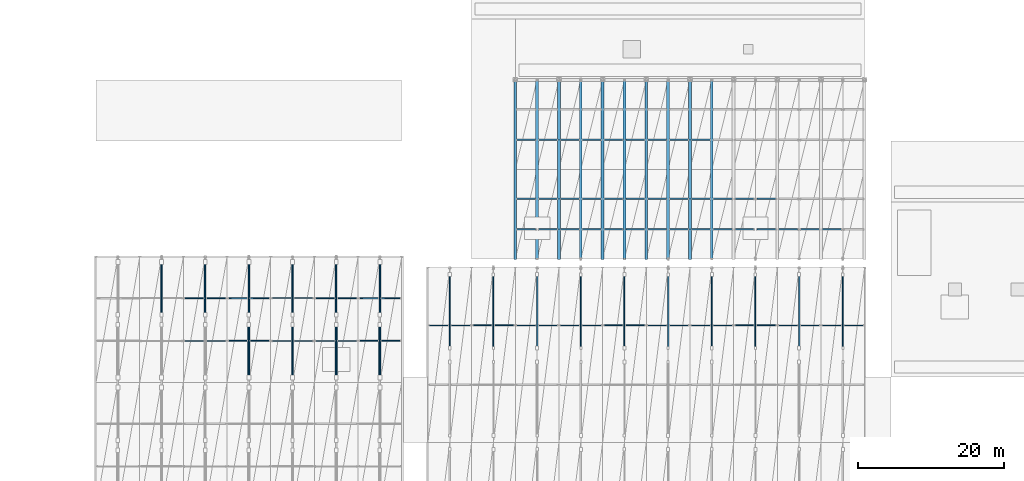
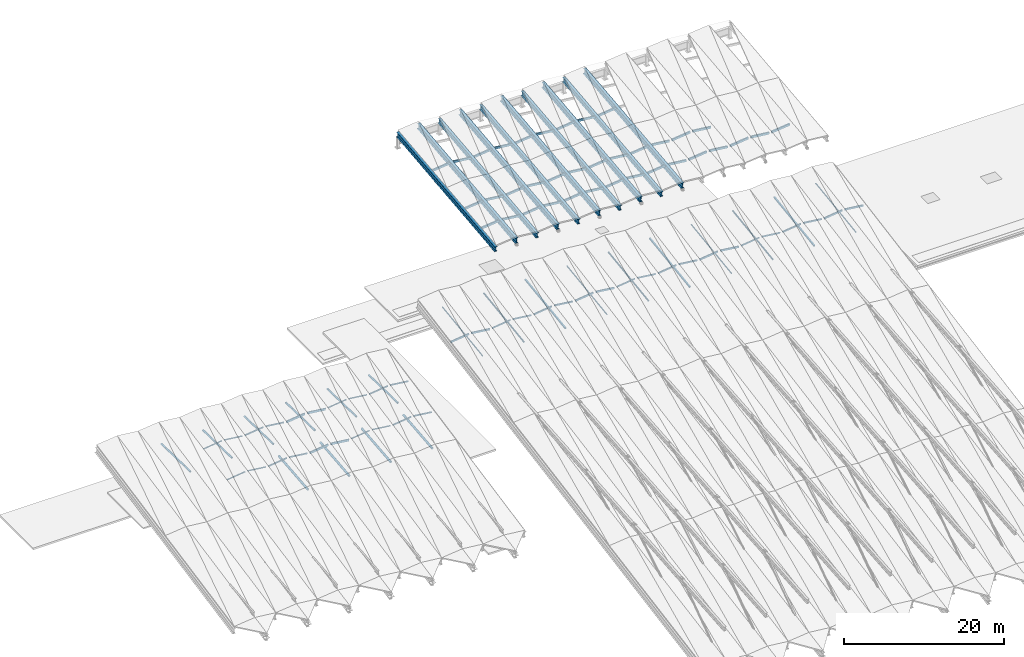
# One storey, part 6 of 52: 96 members, 10 beams.
"""IFC4 building model written with IfcOpenShell, lengths in metres."""

from ifc_helpers import new_model, si_unit, direction, frame, origin, origin_2d, place, context, subcontext, project, spatial, hollow_rectangle, hollow_circle, i_section, extrude, material, material_profile, profile_set, type_object, element, save


model = new_model("IFC4")

# Units and contexts
model_context = context("Model", 3, precision=1e-05, world=origin(), true_north=direction((0.0, 1.0)))
body_context = subcontext(model_context, "Body", "Model", "MODEL_VIEW")
ifc_project = project(units=[si_unit("LENGTHUNIT", "METRE"), si_unit("AREAUNIT", "SQUARE_METRE"), si_unit("VOLUMEUNIT", "CUBIC_METRE"), si_unit("PLANEANGLEUNIT", "RADIAN"), si_unit("MASSUNIT", "GRAM", prefix="KILO")], contexts=[model_context])

# Site, building, storey
site_placement = place(None, origin())
site = spatial("IfcSite", under=ifc_project, at=site_placement, CompositionType="ELEMENT")
building_placement = place(site_placement, origin())
building = spatial("IfcBuilding", under=site, at=building_placement, Name="Vaelkrest Opera House", CompositionType="ELEMENT")
storey_placement = place(building_placement, frame((0.0, 0.0, 41.39990234375)))
storey = spatial("IfcBuildingStorey", under=building, at=storey_placement, Name="ROOF", CompositionType="ELEMENT", Elevation=41.39990234375)

# Beams
ifc_material_1 = material(Name="Steel A992 Gr50", Category="steel")
ifc_material_profile_1 = material_profile(ifc_material_1, i_section(OverallWidth=0.381103515625, OverallDepth=0.77294921875, WebThickness=0.0166015625, FlangeThickness=0.027099609375, at=origin_2d()), Name="W30X173")
ifc_profile_set_1 = profile_set([ifc_material_profile_1], Name="Steel A992 Gr50")
beam_type_1 = type_object("IfcBeamType", Name="B11", PredefinedType="BEAM", material=ifc_profile_set_1)
for number, where, z_axis, x_axis, name in (
    (1, (-18.0, 17.39990234375, -0.618896484375), (0.0, 0.994030938289, 0.109098550511), (-1.0, 0.0, 0.0), "Pleated roof valley rafter V2-00"),
    (2, (-12.0, 17.39990234375, -0.618896484375), (0.0, 0.994030938289, 0.109098550511), (-1.0, 0.0, 0.0), "Pleated roof valley rafter V2-02"),
    (3, (-6.0, 17.39990234375, -0.618896484375), (0.0, 0.994030938289, 0.109098550511), (-1.0, 0.0, 0.0), "Pleated roof valley rafter V2-04"),
    (4, (0.0, 17.39990234375, -0.618896484375), (0.0, 0.994030938289, 0.109098550511), (-1.0, 0.0, 0.0), "Pleated roof valley rafter V2-06"),
    (5, (6.0, 17.39990234375, -0.618896484375), (0.0, 0.994030938289, 0.109098550511), (-1.0, 0.0, 0.0), "Pleated roof valley rafter V2-08"),
):
    element("IfcBeam", number, at=place(storey_placement, frame(where, z_axis=z_axis, x_axis=x_axis)), inside=storey, type_object=beam_type_1, Name=name, PredefinedType="BEAM", context=body_context, shape_type="SweptSolid", body=[
        extrude(i_section(OverallWidth=0.381103515625, OverallDepth=0.77294921875, WebThickness=0.0166015625, FlangeThickness=0.027099609375, at=origin_2d()), origin(), (0.0, 0.0, 1.0), 24.747802734375),
    ])
ifc_material_profile_2 = material_profile(ifc_material_1, i_section(OverallWidth=0.39892578125, OverallDepth=0.85498046875, WebThickness=0.018310546875, FlangeThickness=0.029296875, at=origin_2d()), Name="W33X201")
ifc_profile_set_2 = profile_set([ifc_material_profile_2], Name="Steel A992 Gr50")
beam_type_2 = type_object("IfcBeamType", Name="B12", PredefinedType="BEAM", material=ifc_profile_set_2)
for number, where, z_axis, x_axis, name in (
    (6, (-15.0, 17.39990234375, -0.35986328125), (0.0, 0.994030938289, 0.109098550511), (-1.0, 0.0, 0.0), "Pleated roof ridge rafter V2-01"),
    (7, (-9.0, 17.39990234375, -0.35986328125), (0.0, 0.994030938289, 0.109098550511), (-1.0, 0.0, 0.0), "Pleated roof ridge rafter V2-03"),
    (8, (-3.0, 17.39990234375, -0.35986328125), (0.0, 0.994030938289, 0.109098550511), (-1.0, 0.0, 0.0), "Pleated roof ridge rafter V2-05"),
    (9, (3.0, 17.39990234375, -0.35986328125), (0.0, 0.994030938289, 0.109098550511), (-1.0, 0.0, 0.0), "Pleated roof ridge rafter V2-07"),
    (10, (9.0, 17.39990234375, -0.35986328125), (0.0, 0.994030938289, 0.109098550511), (-1.0, 0.0, 0.0), "Pleated roof ridge rafter V2-09"),
):
    element("IfcBeam", number, at=place(storey_placement, frame(where, z_axis=z_axis, x_axis=x_axis)), inside=storey, type_object=beam_type_2, Name=name, PredefinedType="BEAM", context=body_context, shape_type="SweptSolid", body=[
        extrude(i_section(OverallWidth=0.39892578125, OverallDepth=0.85498046875, WebThickness=0.018310546875, FlangeThickness=0.029296875, at=origin_2d()), origin(), (0.0, 0.0, 1.0), 24.747802734375),
    ])

# Members
ifc_material_2 = material(Name="Steel A500 GrC", Category="steel")
ifc_material_profile_3 = material_profile(ifc_material_2, hollow_circle(Radius=0.084228515625, WallThickness=0.007080078125, at=origin_2d()), Name="HSS168.3X7.1")
ifc_profile_set_3 = profile_set([ifc_material_profile_3], Name="Steel A500 GrC")
member_type_1 = type_object("IfcMemberType", Name="BR01", PredefinedType="BRACE", material=ifc_profile_set_3)
for number, where, z_axis, x_axis, name in (
    (11, (-27.0, 5.159912109375, -6.36181640625), (0.0, 0.990891694538, 0.134661240507), (-1.0, 0.0, 0.0), "Pleated truss web brace V1-01-6"),
    (12, (-9.0, 5.159912109375, -6.36181640625), (0.0, 0.990891694538, 0.134661240507), (-1.0, 0.0, 0.0), "Pleated truss web brace V1-07-6"),
    (13, (9.0, 5.159912109375, -6.36181640625), (0.0, 0.990891694538, 0.134661240507), (-1.0, 0.0, 0.0), "Pleated truss web brace V1-13-6"),
    (14, (27.0, 5.159912109375, -6.36181640625), (0.0, 0.990891694538, 0.134661240507), (-1.0, 0.0, 0.0), "Pleated truss web brace V1-19-6"),
):
    element("IfcMember", number, at=place(storey_placement, frame(where, z_axis=z_axis, x_axis=x_axis)), inside=storey, type_object=member_type_1, Name=name, PredefinedType="BRACE", context=body_context, shape_type="SweptSolid", body=[
        extrude(hollow_circle(Radius=0.084228515625, WallThickness=0.007080078125, at=origin_2d()), origin(), (0.0, 0.0, 1.0), 10.1728515625),
    ])
ifc_material_profile_4 = material_profile(ifc_material_2, hollow_circle(Radius=0.109619140625, WallThickness=0.009521484375, at=origin_2d()), Name="HSS219.1X9.5")
ifc_profile_set_4 = profile_set([ifc_material_profile_4], Name="Steel A500 GrC")
member_type_2 = type_object("IfcMemberType", Name="BR03", PredefinedType="BRACE", material=ifc_profile_set_4)
for number, where, z_axis, x_axis, name in (
    (15, (-21.0, 5.159912109375, -6.36181640625), (0.0, 0.990891694538, 0.134661240507), (-1.0, 0.0, 0.0), "Pleated truss web brace V1-03-6"),
    (16, (-3.0, 5.159912109375, -6.36181640625), (0.0, 0.990891694538, 0.134661240507), (-1.0, 0.0, 0.0), "Pleated truss web brace V1-09-6"),
    (17, (15.0, 5.159912109375, -6.36181640625), (0.0, 0.990891694538, 0.134661240507), (-1.0, 0.0, 0.0), "Pleated truss web brace V1-15-6"),
):
    element("IfcMember", number, at=place(storey_placement, frame(where, z_axis=z_axis, x_axis=x_axis)), inside=storey, type_object=member_type_2, Name=name, PredefinedType="BRACE", context=body_context, shape_type="SweptSolid", body=[
        extrude(hollow_circle(Radius=0.109619140625, WallThickness=0.009521484375, at=origin_2d()), origin(), (0.0, 0.0, 1.0), 10.1728515625),
    ])
ifc_material_profile_5 = material_profile(ifc_material_2, hollow_circle(Radius=0.136474609375, WallThickness=0.0126953125, at=origin_2d()), Name="HSS273.1X12.7")
ifc_profile_set_5 = profile_set([ifc_material_profile_5], Name="Steel A500 GrC")
member_type_3 = type_object("IfcMemberType", Name="BR05", PredefinedType="BRACE", material=ifc_profile_set_5)
for number, where, z_axis, x_axis, name in (
    (18, (-66.60009765625, 9.764892578125, -12.97900390625), (0.0, 0.999783232085, -0.020820394845), (-1.0, 0.0, 0.0), "Pleated truss web brace V3-03-4"),
    (19, (-60.60009765625, 9.764892578125, -12.97900390625), (0.0, 0.999783232085, -0.020820394845), (-1.0, 0.0, 0.0), "Pleated truss web brace V3-05-4"),
    (20, (-54.60009765625, 9.764892578125, -12.97900390625), (0.0, 0.999783232085, -0.020820394845), (-1.0, 0.0, 0.0), "Pleated truss web brace V3-07-4"),
    (21, (-48.60009765625, 9.764892578125, -12.97900390625), (0.0, 0.999783232085, -0.020820394845), (-1.0, 0.0, 0.0), "Pleated truss web brace V3-09-4"),
    (22, (-42.60009765625, 9.764892578125, -12.97900390625), (0.0, 0.999783232085, -0.020820394845), (-1.0, 0.0, 0.0), "Pleated truss web brace V3-11-4"),
    (23, (-36.60009765625, 9.764892578125, -12.97900390625), (0.0, 0.999783232085, -0.020820394845), (-1.0, 0.0, 0.0), "Pleated truss web brace V3-13-4"),
):
    element("IfcMember", number, at=place(storey_placement, frame(where, z_axis=z_axis, x_axis=x_axis)), inside=storey, type_object=member_type_3, Name=name, PredefinedType="BRACE", context=body_context, shape_type="SweptSolid", body=[
        extrude(hollow_circle(Radius=0.136474609375, WallThickness=0.0126953125, at=origin_2d()), origin(), (0.0, 0.0, 1.0), 7.24658203125),
    ])
ifc_material_profile_6 = material_profile(ifc_material_2, hollow_circle(Radius=0.161865234375, WallThickness=0.0126953125, at=origin_2d()), Name="HSS323.9X12.7")
ifc_profile_set_6 = profile_set([ifc_material_profile_6], Name="Steel A500 GrC")
member_type_4 = type_object("IfcMemberType", Name="BR06", PredefinedType="BRACE", material=ifc_profile_set_6)
for number, where, z_axis, x_axis, name in (
    (24, (-54.60009765625, 1.139892578125, -14.697998046875), (0.0, 0.995002605543, 0.099848960753), (-1.0, 0.0, 0.0), "Pleated truss web brace V3-07-3"),
    (25, (-48.60009765625, 1.139892578125, -14.697998046875), (0.0, 0.995002605543, 0.099848960753), (-1.0, 0.0, 0.0), "Pleated truss web brace V3-09-3"),
    (26, (-42.60009765625, 1.139892578125, -14.697998046875), (0.0, 0.995002605543, 0.099848960753), (-1.0, 0.0, 0.0), "Pleated truss web brace V3-11-3"),
    (27, (-36.60009765625, 1.139892578125, -14.697998046875), (0.0, 0.995002605543, 0.099848960753), (-1.0, 0.0, 0.0), "Pleated truss web brace V3-13-3"),
):
    element("IfcMember", number, at=place(storey_placement, frame(where, z_axis=z_axis, x_axis=x_axis)), inside=storey, type_object=member_type_4, Name=name, PredefinedType="BRACE", context=body_context, shape_type="SweptSolid", body=[
        extrude(hollow_circle(Radius=0.161865234375, WallThickness=0.0126953125, at=origin_2d()), origin(), (0.0, 0.0, 1.0), 7.281494140625),
    ])
ifc_material_profile_7 = material_profile(ifc_material_2, hollow_rectangle(XDim=0.202880859375, YDim=0.202880859375, WallThickness=0.0126953125, at=origin_2d()), Name="HSS203X203X12.7")
ifc_profile_set_7 = profile_set([ifc_material_profile_7], Name="Steel A500 GrC")
member_type_5 = type_object("IfcMemberType", Name="BR07", PredefinedType="BRACE", material=ifc_profile_set_7)
for number, where, z_axis, x_axis, name in (
    (28, (-15.0, 5.159912109375, -6.36181640625), (0.0, 0.990891694538, 0.134661240507), (-1.0, 0.0, 0.0), "Pleated truss web brace V1-05-6"),
    (29, (3.0, 5.159912109375, -6.36181640625), (0.0, 0.990891694538, 0.134661240507), (-1.0, 0.0, 0.0), "Pleated truss web brace V1-11-6"),
    (30, (21.0, 5.159912109375, -6.36181640625), (0.0, 0.990891694538, 0.134661240507), (-1.0, 0.0, 0.0), "Pleated truss web brace V1-17-6"),
):
    element("IfcMember", number, at=place(storey_placement, frame(where, z_axis=z_axis, x_axis=x_axis)), inside=storey, type_object=member_type_5, Name=name, PredefinedType="BRACE", context=body_context, shape_type="SweptSolid", body=[
        extrude(hollow_rectangle(XDim=0.202880859375, YDim=0.202880859375, WallThickness=0.0126953125, at=origin_2d()), origin(), (0.0, 0.0, 1.0), 10.1728515625),
    ])
ifc_material_profile_8 = material_profile(ifc_material_2, hollow_rectangle(XDim=0.10205078125, YDim=0.152099609375, WallThickness=0.0078125, at=origin_2d()), Name="HSS152X102X8")
ifc_profile_set_8 = profile_set([ifc_material_profile_8], Name="Steel A500 GrC")
member_type_6 = type_object("IfcMemberType", Name="PR01", PredefinedType="PURLIN", material=ifc_profile_set_8)
for number, where, z_axis, x_axis, name in (
    (31, (-63.419921875, 6.14306640625, -13.162841796875), (0.992553582992, 0.0, 0.121808804645), (0.0, 1.0, 0.0), "Folded roof purlin V3-03-S2-33W"),
    (32, (-60.419921875, 6.14306640625, -12.8388671875), (0.992553582992, 0.0, -0.121808804645), (0.0, 1.0, 0.0), "Folded roof purlin V3-03-S2-33E"),
    (33, (-63.419921875, 12.008056640625, -11.993896484375), (0.992553582992, 0.0, 0.121808804645), (0.0, 1.0, 0.0), "Folded roof purlin V3-03-S2-67W"),
    (34, (-60.419921875, 12.008056640625, -11.669921875), (0.992553582992, 0.0, -0.121808804645), (0.0, 1.0, 0.0), "Folded roof purlin V3-03-S2-67E"),
    (35, (-45.419921875, 6.14306640625, -13.162841796875), (0.992553582992, 0.0, 0.121808804645), (0.0, 1.0, 0.0), "Folded roof purlin V3-06-S2-33W"),
    (36, (-42.419921875, 6.14306640625, -12.8388671875), (0.992553582992, 0.0, -0.121808804645), (0.0, 1.0, 0.0), "Folded roof purlin V3-06-S2-33E"),
    (37, (-45.419921875, 12.008056640625, -11.993896484375), (0.992553582992, 0.0, 0.121808804645), (0.0, 1.0, 0.0), "Folded roof purlin V3-06-S2-67W"),
    (38, (-42.419921875, 12.008056640625, -11.669921875), (0.992553582992, 0.0, -0.121808804645), (0.0, 1.0, 0.0), "Folded roof purlin V3-06-S2-67E"),
):
    element("IfcMember", number, at=place(storey_placement, frame(where, z_axis=z_axis, x_axis=x_axis)), inside=storey, type_object=member_type_6, Name=name, PredefinedType="PURLIN", context=body_context, shape_type="SweptSolid", body=[
        extrude(hollow_rectangle(XDim=0.10205078125, YDim=0.152099609375, WallThickness=0.0078125, at=origin_2d()), origin(), (0.0, 0.0, 1.0), 2.65966796875),
    ])
ifc_material_profile_9 = material_profile(ifc_material_2, hollow_rectangle(XDim=0.126953125, YDim=0.177978515625, WallThickness=0.009521484375, at=origin_2d()), Name="HSS178X127X9.5")
ifc_profile_set_9 = profile_set([ifc_material_profile_9], Name="Steel A500 GrC")
member_type_7 = type_object("IfcMemberType", Name="PR02", PredefinedType="PURLIN", material=ifc_profile_set_9)
for number, where, z_axis, x_axis, name in (
    (39, (-57.419921875, 6.14306640625, -13.17578125), (0.992553582992, 0.0, 0.121808804645), (0.0, 1.0, 0.0), "Folded roof purlin V3-04-S2-33W"),
    (40, (-54.419921875, 6.14306640625, -12.851806640625), (0.992553582992, 0.0, -0.121808804645), (0.0, 1.0, 0.0), "Folded roof purlin V3-04-S2-33E"),
    (41, (-57.419921875, 12.008056640625, -12.0068359375), (0.992553582992, 0.0, 0.121808804645), (0.0, 1.0, 0.0), "Folded roof purlin V3-04-S2-67W"),
    (42, (-54.419921875, 12.008056640625, -11.682861328125), (0.992553582992, 0.0, -0.121808804645), (0.0, 1.0, 0.0), "Folded roof purlin V3-04-S2-67E"),
    (43, (-39.419921875, 6.14306640625, -13.17578125), (0.992553582992, 0.0, 0.121808804645), (0.0, 1.0, 0.0), "Folded roof purlin V3-07-S2-33W"),
    (44, (-36.419921875, 6.14306640625, -12.851806640625), (0.992553582992, 0.0, -0.121808804645), (0.0, 1.0, 0.0), "Folded roof purlin V3-07-S2-33E"),
    (45, (-39.419921875, 12.008056640625, -12.0068359375), (0.992553582992, 0.0, 0.121808804645), (0.0, 1.0, 0.0), "Folded roof purlin V3-07-S2-67W"),
    (46, (-36.419921875, 12.008056640625, -11.682861328125), (0.992553582992, 0.0, -0.121808804645), (0.0, 1.0, 0.0), "Folded roof purlin V3-07-S2-67E"),
):
    element("IfcMember", number, at=place(storey_placement, frame(where, z_axis=z_axis, x_axis=x_axis)), inside=storey, type_object=member_type_7, Name=name, PredefinedType="PURLIN", context=body_context, shape_type="SweptSolid", body=[
        extrude(hollow_rectangle(XDim=0.126953125, YDim=0.177978515625, WallThickness=0.009521484375, at=origin_2d()), origin(), (0.0, 0.0, 1.0), 2.65966796875),
    ])
ifc_material_profile_10 = material_profile(ifc_material_2, hollow_rectangle(XDim=0.10205078125, YDim=0.202880859375, WallThickness=0.0078125, at=origin_2d()), Name="HSS203X102X8")
ifc_profile_set_10 = profile_set([ifc_material_profile_10], Name="Steel A500 GrC")
member_type_8 = type_object("IfcMemberType", Name="PR03", PredefinedType="PURLIN", material=ifc_profile_set_10)
for number, where, z_axis, x_axis, name in (
    (47, (-23.820068359375, 8.280029296875, -5.121826171875), (0.992554944769, 0.0, 0.121797707759), (0.0, 1.0, 0.0), "Folded roof purlin V1-02-S3-67W"),
    (48, (-20.820068359375, 8.280029296875, -4.7978515625), (0.992554944769, 0.0, -0.121797707759), (0.0, 1.0, 0.0), "Folded roof purlin V1-02-S3-67E"),
    (49, (-5.820068359375, 8.280029296875, -5.121826171875), (0.992554944769, 0.0, 0.121797707759), (0.0, 1.0, 0.0), "Folded roof purlin V1-05-S3-67W"),
    (50, (-2.820068359375, 8.280029296875, -4.7978515625), (0.992554944769, 0.0, -0.121797707759), (0.0, 1.0, 0.0), "Folded roof purlin V1-05-S3-67E"),
    (51, (12.179931640625, 8.280029296875, -5.121826171875), (0.992554944769, 0.0, 0.121797707759), (0.0, 1.0, 0.0), "Folded roof purlin V1-08-S3-67W"),
    (52, (15.179931640625, 8.280029296875, -4.7978515625), (0.992554944769, 0.0, -0.121797707759), (0.0, 1.0, 0.0), "Folded roof purlin V1-08-S3-67E"),
):
    element("IfcMember", number, at=place(storey_placement, frame(where, z_axis=z_axis, x_axis=x_axis)), inside=storey, type_object=member_type_8, Name=name, PredefinedType="PURLIN", context=body_context, shape_type="SweptSolid", body=[
        extrude(hollow_rectangle(XDim=0.10205078125, YDim=0.202880859375, WallThickness=0.0078125, at=origin_2d()), origin(), (0.0, 0.0, 1.0), 2.659912109375),
    ])
ifc_material_profile_11 = material_profile(ifc_material_2, hollow_rectangle(XDim=0.152099609375, YDim=0.202880859375, WallThickness=0.009521484375, at=origin_2d()), Name="HSS203X152X9.5")
ifc_profile_set_11 = profile_set([ifc_material_profile_11], Name="Steel A500 GrC")
member_type_9 = type_object("IfcMemberType", Name="PR04", PredefinedType="PURLIN", material=ifc_profile_set_11)
for number, where, z_axis, x_axis, name in (
    (53, (-17.820068359375, 8.280029296875, -5.121826171875), (0.992554944769, 0.0, 0.121797707759), (0.0, 1.0, 0.0), "Folded roof purlin V1-03-S3-67W"),
    (54, (-14.820068359375, 8.280029296875, -4.7978515625), (0.992554944769, 0.0, -0.121797707759), (0.0, 1.0, 0.0), "Folded roof purlin V1-03-S3-67E"),
    (55, (0.179931640625, 8.280029296875, -5.121826171875), (0.992554944769, 0.0, 0.121797707759), (0.0, 1.0, 0.0), "Folded roof purlin V1-06-S3-67W"),
    (56, (3.179931640625, 8.280029296875, -4.7978515625), (0.992554944769, 0.0, -0.121797707759), (0.0, 1.0, 0.0), "Folded roof purlin V1-06-S3-67E"),
    (57, (18.179931640625, 8.280029296875, -5.121826171875), (0.992554944769, 0.0, 0.121797707759), (0.0, 1.0, 0.0), "Folded roof purlin V1-09-S3-67W"),
    (58, (21.179931640625, 8.280029296875, -4.7978515625), (0.992554944769, 0.0, -0.121797707759), (0.0, 1.0, 0.0), "Folded roof purlin V1-09-S3-67E"),
):
    element("IfcMember", number, at=place(storey_placement, frame(where, z_axis=z_axis, x_axis=x_axis)), inside=storey, type_object=member_type_9, Name=name, PredefinedType="PURLIN", context=body_context, shape_type="SweptSolid", body=[
        extrude(hollow_rectangle(XDim=0.152099609375, YDim=0.202880859375, WallThickness=0.009521484375, at=origin_2d()), origin(), (0.0, 0.0, 1.0), 2.659912109375),
    ])
ifc_material_profile_12 = material_profile(ifc_material_2, hollow_rectangle(XDim=0.152099609375, YDim=0.25390625, WallThickness=0.009521484375, at=origin_2d()), Name="HSS254X152X9.5")
ifc_profile_set_12 = profile_set([ifc_material_profile_12], Name="Steel A500 GrC")
member_type_10 = type_object("IfcMemberType", Name="PR05", PredefinedType="PURLIN", material=ifc_profile_set_12)
for number, where, z_axis, x_axis, name in (
    (59, (-29.820068359375, 8.280029296875, -5.14697265625), (0.992554944769, 0.0, 0.121797707759), (0.0, 1.0, 0.0), "Folded roof purlin V1-01-S3-67W"),
    (60, (-26.820068359375, 8.280029296875, -4.822998046875), (0.992554944769, 0.0, -0.121797707759), (0.0, 1.0, 0.0), "Folded roof purlin V1-01-S3-67E"),
    (61, (-11.820068359375, 8.280029296875, -5.14697265625), (0.992554944769, 0.0, 0.121797707759), (0.0, 1.0, 0.0), "Folded roof purlin V1-04-S3-67W"),
    (62, (-8.820068359375, 8.280029296875, -4.822998046875), (0.992554944769, 0.0, -0.121797707759), (0.0, 1.0, 0.0), "Folded roof purlin V1-04-S3-67E"),
    (63, (6.179931640625, 8.280029296875, -5.14697265625), (0.992554944769, 0.0, 0.121797707759), (0.0, 1.0, 0.0), "Folded roof purlin V1-07-S3-67W"),
    (64, (9.179931640625, 8.280029296875, -4.822998046875), (0.992554944769, 0.0, -0.121797707759), (0.0, 1.0, 0.0), "Folded roof purlin V1-07-S3-67E"),
    (65, (24.179931640625, 8.280029296875, -5.14697265625), (0.992554944769, 0.0, 0.121797707759), (0.0, 1.0, 0.0), "Folded roof purlin V1-10-S3-67W"),
    (66, (27.179931640625, 8.280029296875, -4.822998046875), (0.992554944769, 0.0, -0.121797707759), (0.0, 1.0, 0.0), "Folded roof purlin V1-10-S3-67E"),
):
    element("IfcMember", number, at=place(storey_placement, frame(where, z_axis=z_axis, x_axis=x_axis)), inside=storey, type_object=member_type_10, Name=name, PredefinedType="PURLIN", context=body_context, shape_type="SweptSolid", body=[
        extrude(hollow_rectangle(XDim=0.152099609375, YDim=0.25390625, WallThickness=0.009521484375, at=origin_2d()), origin(), (0.0, 0.0, 1.0), 2.659912109375),
    ])
ifc_material_profile_13 = material_profile(ifc_material_2, hollow_rectangle(XDim=0.152099609375, YDim=0.304931640625, WallThickness=0.0126953125, at=origin_2d()), Name="HSS305X152X12.7")
ifc_profile_set_13 = profile_set([ifc_material_profile_13], Name="Steel A500 GrC")
member_type_11 = type_object("IfcMemberType", Name="PR06", PredefinedType="PURLIN", material=ifc_profile_set_13)
for number, where, z_axis, x_axis, name in (
    (67, (-51.419921875, 6.14306640625, -13.239990234375), (0.992553582992, 0.0, 0.121808804645), (0.0, 1.0, 0.0), "Folded roof purlin V3-05-S2-33W"),
    (68, (-48.419921875, 6.14306640625, -12.916015625), (0.992553582992, 0.0, -0.121808804645), (0.0, 1.0, 0.0), "Folded roof purlin V3-05-S2-33E"),
    (69, (-51.419921875, 12.008056640625, -12.07080078125), (0.992553582992, 0.0, 0.121808804645), (0.0, 1.0, 0.0), "Folded roof purlin V3-05-S2-67W"),
    (70, (-48.419921875, 12.008056640625, -11.746826171875), (0.992553582992, 0.0, -0.121808804645), (0.0, 1.0, 0.0), "Folded roof purlin V3-05-S2-67E"),
):
    element("IfcMember", number, at=place(storey_placement, frame(where, z_axis=z_axis, x_axis=x_axis)), inside=storey, type_object=member_type_11, Name=name, PredefinedType="PURLIN", context=body_context, shape_type="SweptSolid", body=[
        extrude(hollow_rectangle(XDim=0.152099609375, YDim=0.304931640625, WallThickness=0.0126953125, at=origin_2d()), origin(), (0.0, 0.0, 1.0), 2.65966796875),
    ])
ifc_material_profile_14 = material_profile(ifc_material_2, hollow_rectangle(XDim=0.202880859375, YDim=0.304931640625, WallThickness=0.0126953125, at=origin_2d()), Name="HSS305X203X12.7")
ifc_profile_set_14 = profile_set([ifc_material_profile_14], Name="Steel A500 GrC")
member_type_12 = type_object("IfcMemberType", Name="PR07", PredefinedType="PURLIN", material=ifc_profile_set_14)
for number, where, z_axis, x_axis, name in (
    (71, (-17.820068359375, 21.458984375, 0.051025390625), (0.993645020766, 0.0, 0.112559196453), (0.0, 1.0, 0.0), "Folded roof purlin V2-01-S1-33W"),
    (72, (-14.820068359375, 21.458984375, 0.35009765625), (0.993645020766, 0.0, -0.112559196453), (0.0, 1.0, 0.0), "Folded roof purlin V2-01-S1-33E"),
):
    element("IfcMember", number, at=place(storey_placement, frame(where, z_axis=z_axis, x_axis=x_axis)), inside=storey, type_object=member_type_12, Name=name, PredefinedType="PURLIN", context=body_context, shape_type="SweptSolid", body=[
        extrude(hollow_rectangle(XDim=0.202880859375, YDim=0.304931640625, WallThickness=0.0126953125, at=origin_2d()), origin(), (0.0, 0.0, 1.0), 2.656982421875),
    ])
for number, where, z_axis, x_axis, name in (
    (73, (-17.820068359375, 25.64111328125, 0.509033203125), (0.993603849084, 0.0, 0.112922057567), (0.0, 1.0, 0.0), "Folded roof purlin V2-01-S1-67W"),
    (74, (-14.820068359375, 25.64111328125, 0.80908203125), (0.993603849084, 0.0, -0.112922057567), (0.0, 1.0, 0.0), "Folded roof purlin V2-01-S1-67E"),
):
    element("IfcMember", number, at=place(storey_placement, frame(where, z_axis=z_axis, x_axis=x_axis)), inside=storey, type_object=member_type_12, Name=name, PredefinedType="PURLIN", context=body_context, shape_type="SweptSolid", body=[
        extrude(hollow_rectangle(XDim=0.202880859375, YDim=0.304931640625, WallThickness=0.0126953125, at=origin_2d()), origin(), (0.0, 0.0, 1.0), 2.6572265625),
    ])
for number, where, z_axis, x_axis, name in (
    (75, (-17.820068359375, 33.759033203125, 1.401123046875), (0.993645020766, 0.0, 0.112559196453), (0.0, 1.0, 0.0), "Folded roof purlin V2-01-S2-33W"),
    (76, (-14.820068359375, 33.759033203125, 1.7001953125), (0.993645020766, 0.0, -0.112559196453), (0.0, 1.0, 0.0), "Folded roof purlin V2-01-S2-33E"),
    (77, (-11.820068359375, 21.458984375, 0.051025390625), (0.993645020766, 0.0, 0.112559196453), (0.0, 1.0, 0.0), "Folded roof purlin V2-02-S1-33W"),
    (78, (-8.820068359375, 21.458984375, 0.35009765625), (0.993645020766, 0.0, -0.112559196453), (0.0, 1.0, 0.0), "Folded roof purlin V2-02-S1-33E"),
):
    element("IfcMember", number, at=place(storey_placement, frame(where, z_axis=z_axis, x_axis=x_axis)), inside=storey, type_object=member_type_12, Name=name, PredefinedType="PURLIN", context=body_context, shape_type="SweptSolid", body=[
        extrude(hollow_rectangle(XDim=0.202880859375, YDim=0.304931640625, WallThickness=0.0126953125, at=origin_2d()), origin(), (0.0, 0.0, 1.0), 2.656982421875),
    ])
for number, where, z_axis, x_axis, name in (
    (79, (-11.820068359375, 25.64111328125, 0.509033203125), (0.993603849084, 0.0, 0.112922057567), (0.0, 1.0, 0.0), "Folded roof purlin V2-02-S1-67W"),
    (80, (-8.820068359375, 25.64111328125, 0.80908203125), (0.993603849084, 0.0, -0.112922057567), (0.0, 1.0, 0.0), "Folded roof purlin V2-02-S1-67E"),
):
    element("IfcMember", number, at=place(storey_placement, frame(where, z_axis=z_axis, x_axis=x_axis)), inside=storey, type_object=member_type_12, Name=name, PredefinedType="PURLIN", context=body_context, shape_type="SweptSolid", body=[
        extrude(hollow_rectangle(XDim=0.202880859375, YDim=0.304931640625, WallThickness=0.0126953125, at=origin_2d()), origin(), (0.0, 0.0, 1.0), 2.6572265625),
    ])
for number, where, z_axis, x_axis, name in (
    (81, (-11.820068359375, 33.759033203125, 1.401123046875), (0.993645020766, 0.0, 0.112559196453), (0.0, 1.0, 0.0), "Folded roof purlin V2-02-S2-33W"),
    (82, (-8.820068359375, 33.759033203125, 1.7001953125), (0.993645020766, 0.0, -0.112559196453), (0.0, 1.0, 0.0), "Folded roof purlin V2-02-S2-33E"),
    (83, (-5.820068359375, 21.458984375, 0.051025390625), (0.993645020766, 0.0, 0.112559196453), (0.0, 1.0, 0.0), "Folded roof purlin V2-03-S1-33W"),
    (84, (-2.820068359375, 21.458984375, 0.35009765625), (0.993645020766, 0.0, -0.112559196453), (0.0, 1.0, 0.0), "Folded roof purlin V2-03-S1-33E"),
):
    element("IfcMember", number, at=place(storey_placement, frame(where, z_axis=z_axis, x_axis=x_axis)), inside=storey, type_object=member_type_12, Name=name, PredefinedType="PURLIN", context=body_context, shape_type="SweptSolid", body=[
        extrude(hollow_rectangle(XDim=0.202880859375, YDim=0.304931640625, WallThickness=0.0126953125, at=origin_2d()), origin(), (0.0, 0.0, 1.0), 2.656982421875),
    ])
for number, where, z_axis, x_axis, name in (
    (85, (-5.820068359375, 25.64111328125, 0.509033203125), (0.993603849084, 0.0, 0.112922057567), (0.0, 1.0, 0.0), "Folded roof purlin V2-03-S1-67W"),
    (86, (-2.820068359375, 25.64111328125, 0.80908203125), (0.993603849084, 0.0, -0.112922057567), (0.0, 1.0, 0.0), "Folded roof purlin V2-03-S1-67E"),
):
    element("IfcMember", number, at=place(storey_placement, frame(where, z_axis=z_axis, x_axis=x_axis)), inside=storey, type_object=member_type_12, Name=name, PredefinedType="PURLIN", context=body_context, shape_type="SweptSolid", body=[
        extrude(hollow_rectangle(XDim=0.202880859375, YDim=0.304931640625, WallThickness=0.0126953125, at=origin_2d()), origin(), (0.0, 0.0, 1.0), 2.6572265625),
    ])
for number, where, z_axis, x_axis, name in (
    (87, (-5.820068359375, 33.759033203125, 1.401123046875), (0.993645020766, 0.0, 0.112559196453), (0.0, 1.0, 0.0), "Folded roof purlin V2-03-S2-33W"),
    (88, (-2.820068359375, 33.759033203125, 1.7001953125), (0.993645020766, 0.0, -0.112559196453), (0.0, 1.0, 0.0), "Folded roof purlin V2-03-S2-33E"),
    (89, (0.179931640625, 21.458984375, 0.051025390625), (0.993645020766, 0.0, 0.112559196453), (0.0, 1.0, 0.0), "Folded roof purlin V2-04-S1-33W"),
    (90, (3.179931640625, 21.458984375, 0.35009765625), (0.993645020766, 0.0, -0.112559196453), (0.0, 1.0, 0.0), "Folded roof purlin V2-04-S1-33E"),
):
    element("IfcMember", number, at=place(storey_placement, frame(where, z_axis=z_axis, x_axis=x_axis)), inside=storey, type_object=member_type_12, Name=name, PredefinedType="PURLIN", context=body_context, shape_type="SweptSolid", body=[
        extrude(hollow_rectangle(XDim=0.202880859375, YDim=0.304931640625, WallThickness=0.0126953125, at=origin_2d()), origin(), (0.0, 0.0, 1.0), 2.656982421875),
    ])
for number, where, z_axis, x_axis, name in (
    (91, (0.179931640625, 25.64111328125, 0.509033203125), (0.993603849084, 0.0, 0.112922057567), (0.0, 1.0, 0.0), "Folded roof purlin V2-04-S1-67W"),
    (92, (3.179931640625, 25.64111328125, 0.80908203125), (0.993603849084, 0.0, -0.112922057567), (0.0, 1.0, 0.0), "Folded roof purlin V2-04-S1-67E"),
):
    element("IfcMember", number, at=place(storey_placement, frame(where, z_axis=z_axis, x_axis=x_axis)), inside=storey, type_object=member_type_12, Name=name, PredefinedType="PURLIN", context=body_context, shape_type="SweptSolid", body=[
        extrude(hollow_rectangle(XDim=0.202880859375, YDim=0.304931640625, WallThickness=0.0126953125, at=origin_2d()), origin(), (0.0, 0.0, 1.0), 2.6572265625),
    ])
for number, where, z_axis, x_axis, name in (
    (93, (0.179931640625, 33.759033203125, 1.401123046875), (0.993645020766, 0.0, 0.112559196453), (0.0, 1.0, 0.0), "Folded roof purlin V2-04-S2-33W"),
    (94, (3.179931640625, 33.759033203125, 1.7001953125), (0.993645020766, 0.0, -0.112559196453), (0.0, 1.0, 0.0), "Folded roof purlin V2-04-S2-33E"),
    (95, (6.179931640625, 21.458984375, 0.051025390625), (0.993645020766, 0.0, 0.112559196453), (0.0, 1.0, 0.0), "Folded roof purlin V2-05-S1-33W"),
    (96, (9.179931640625, 21.458984375, 0.35009765625), (0.993645020766, 0.0, -0.112559196453), (0.0, 1.0, 0.0), "Folded roof purlin V2-05-S1-33E"),
):
    element("IfcMember", number, at=place(storey_placement, frame(where, z_axis=z_axis, x_axis=x_axis)), inside=storey, type_object=member_type_12, Name=name, PredefinedType="PURLIN", context=body_context, shape_type="SweptSolid", body=[
        extrude(hollow_rectangle(XDim=0.202880859375, YDim=0.304931640625, WallThickness=0.0126953125, at=origin_2d()), origin(), (0.0, 0.0, 1.0), 2.656982421875),
    ])
for number, where, z_axis, x_axis, name in (
    (97, (6.179931640625, 25.64111328125, 0.509033203125), (0.993603849084, 0.0, 0.112922057567), (0.0, 1.0, 0.0), "Folded roof purlin V2-05-S1-67W"),
    (98, (9.179931640625, 25.64111328125, 0.80908203125), (0.993603849084, 0.0, -0.112922057567), (0.0, 1.0, 0.0), "Folded roof purlin V2-05-S1-67E"),
):
    element("IfcMember", number, at=place(storey_placement, frame(where, z_axis=z_axis, x_axis=x_axis)), inside=storey, type_object=member_type_12, Name=name, PredefinedType="PURLIN", context=body_context, shape_type="SweptSolid", body=[
        extrude(hollow_rectangle(XDim=0.202880859375, YDim=0.304931640625, WallThickness=0.0126953125, at=origin_2d()), origin(), (0.0, 0.0, 1.0), 2.6572265625),
    ])
for number, where, z_axis, x_axis, name in (
    (99, (6.179931640625, 33.759033203125, 1.401123046875), (0.993645020766, 0.0, 0.112559196453), (0.0, 1.0, 0.0), "Folded roof purlin V2-05-S2-33W"),
    (100, (12.179931640625, 21.458984375, 0.051025390625), (0.993645020766, 0.0, 0.112559196453), (0.0, 1.0, 0.0), "Folded roof purlin V2-06-S1-33W"),
    (101, (15.179931640625, 21.458984375, 0.35009765625), (0.993645020766, 0.0, -0.112559196453), (0.0, 1.0, 0.0), "Folded roof purlin V2-06-S1-33E"),
):
    element("IfcMember", number, at=place(storey_placement, frame(where, z_axis=z_axis, x_axis=x_axis)), inside=storey, type_object=member_type_12, Name=name, PredefinedType="PURLIN", context=body_context, shape_type="SweptSolid", body=[
        extrude(hollow_rectangle(XDim=0.202880859375, YDim=0.304931640625, WallThickness=0.0126953125, at=origin_2d()), origin(), (0.0, 0.0, 1.0), 2.656982421875),
    ])
for number, where, z_axis, x_axis, name in (
    (102, (12.179931640625, 25.64111328125, 0.509033203125), (0.993603849084, 0.0, 0.112922057567), (0.0, 1.0, 0.0), "Folded roof purlin V2-06-S1-67W"),
    (103, (15.179931640625, 25.64111328125, 0.80908203125), (0.993603849084, 0.0, -0.112922057567), (0.0, 1.0, 0.0), "Folded roof purlin V2-06-S1-67E"),
):
    element("IfcMember", number, at=place(storey_placement, frame(where, z_axis=z_axis, x_axis=x_axis)), inside=storey, type_object=member_type_12, Name=name, PredefinedType="PURLIN", context=body_context, shape_type="SweptSolid", body=[
        extrude(hollow_rectangle(XDim=0.202880859375, YDim=0.304931640625, WallThickness=0.0126953125, at=origin_2d()), origin(), (0.0, 0.0, 1.0), 2.6572265625),
    ])
for number, where, z_axis, x_axis, name in (
    (104, (18.179931640625, 21.458984375, 0.051025390625), (0.993645020766, 0.0, 0.112559196453), (0.0, 1.0, 0.0), "Folded roof purlin V2-07-S1-33W"),
    (105, (21.179931640625, 21.458984375, 0.35009765625), (0.993645020766, 0.0, -0.112559196453), (0.0, 1.0, 0.0), "Folded roof purlin V2-07-S1-33E"),
    (106, (24.179931640625, 21.458984375, 0.051025390625), (0.993645020766, 0.0, 0.112559196453), (0.0, 1.0, 0.0), "Folded roof purlin V2-08-S1-33W"),
):
    element("IfcMember", number, at=place(storey_placement, frame(where, z_axis=z_axis, x_axis=x_axis)), inside=storey, type_object=member_type_12, Name=name, PredefinedType="PURLIN", context=body_context, shape_type="SweptSolid", body=[
        extrude(hollow_rectangle(XDim=0.202880859375, YDim=0.304931640625, WallThickness=0.0126953125, at=origin_2d()), origin(), (0.0, 0.0, 1.0), 2.656982421875),
    ])

save(model, "model.ifc")
